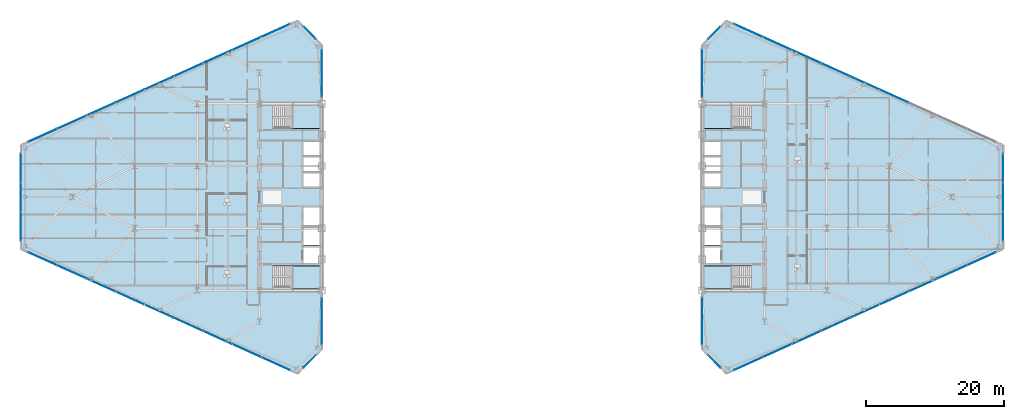
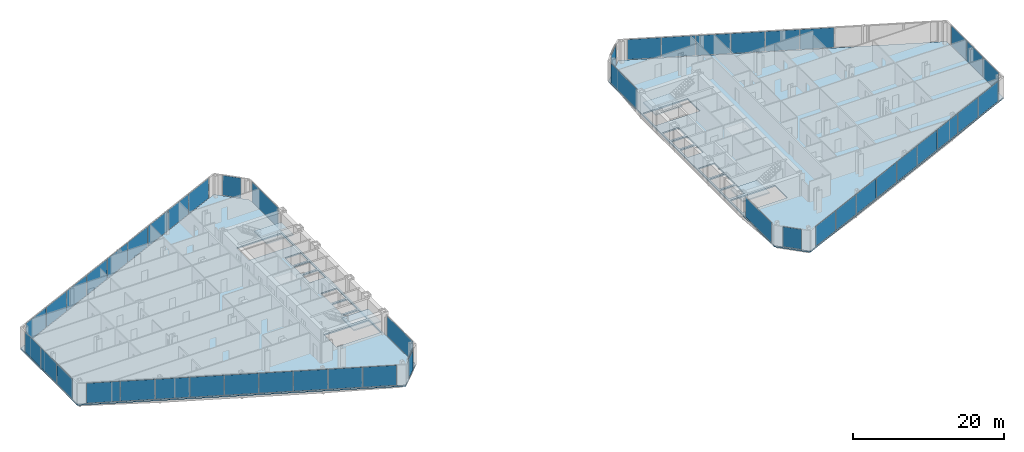
# One storey, part 17 of 27: 47 plates, 6 slabs, 18 elements without a shape of their own.
"""IFC4 building model written with IfcOpenShell, lengths in metres."""

from ifc_helpers import new_model, si_unit, direction, frame, origin, origin_2d, place, context, subcontext, project, spatial, polyline, rectangle, outline, extrude, source, transform, mapped, material, layer, layer_set, type_object, type_shapes, element, aggregate, save


model = new_model("IFC4")

# Units and contexts
model_context = context("Model", 3, precision=1e-05, world=origin(), true_north=direction((0.0, 1.0)))
body_context = subcontext(model_context, "Body", "Model", "MODEL_VIEW")
ifc_project = project(units=[si_unit("LENGTHUNIT", "METRE"), si_unit("AREAUNIT", "SQUARE_METRE"), si_unit("VOLUMEUNIT", "CUBIC_METRE"), si_unit("PLANEANGLEUNIT", "RADIAN"), si_unit("MASSUNIT", "GRAM", prefix="KILO")], contexts=[model_context])

# Site, building, storey
site_placement = place(None, origin())
site = spatial("IfcSite", under=ifc_project, at=site_placement, CompositionType="ELEMENT")
building_placement = place(site_placement, origin())
building = spatial("IfcBuilding", under=site, at=building_placement, Name="Seokmaru Belvedere", CompositionType="ELEMENT")
storey_placement = place(building_placement, frame((0.0, 0.0, 96.0)))
storey = spatial("IfcBuildingStorey", under=building, at=storey_placement, Name="L25", CompositionType="ELEMENT", Elevation=96.0)

# Stair, slab
ifc_material_1 = material(Name="Concrete C40 (40 MPa)", Category="concrete")
stair_type = type_object("IfcStairType", Name="Typical Tower Core Dog-Leg Stair 3600", PredefinedType="TWO_STRAIGHT_RUN_STAIR", material=ifc_material_1)
stair_1_placement = place(storey_placement, origin())
stair_1 = element("IfcStair", 1, at=stair_1_placement, inside=storey, type_object=stair_type, Name="L25 Special Escape Stair ST-W1", PredefinedType="TWO_STRAIGHT_RUN_STAIR")
ifc_layer_1 = layer(ifc_material_1, 0.199951171875)
ifc_layer_set_1 = layer_set([ifc_layer_1], Name="Concrete C40 (40 MPa)")
slab_type_1 = type_object("IfcSlabType", Name="Reinforced Concrete Stair Landing Slab 200", PredefinedType="LANDING", material=ifc_layer_set_1)
slab_1_placement = place(storey_placement, frame((0.0, 0.0, 1.60009765625)))
slab_1 = element("IfcSlab", 2, at=slab_1_placement, type_object=slab_type_1, Name="ST-W1 landing 1", PredefinedType="LANDING", context=body_context, shape_type="SweptSolid", body=[
    extrude(outline(polyline([(-31.8798828125, -13.239990234375), (-27.760009765625, -13.239990234375), (-27.760009765625, -9.949951171875), (-31.8798828125, -9.949951171875), (-31.8798828125, -13.239990234375)])), origin(), (0.0, 0.0, 1.0), 0.199951171875),
])
aggregate(stair_1, [slab_1])

stair_2_placement = place(storey_placement, origin())
stair_2 = element("IfcStair", 3, at=stair_2_placement, inside=storey, type_object=stair_type, Name="L25 Special Escape Stair ST-W2", PredefinedType="TWO_STRAIGHT_RUN_STAIR")
slab_2_placement = place(storey_placement, frame((0.0, 0.0, 1.60009765625)))
slab_2 = element("IfcSlab", 4, at=slab_2_placement, type_object=slab_type_1, Name="ST-W2 landing 1", PredefinedType="LANDING", context=body_context, shape_type="SweptSolid", body=[
    extrude(outline(polyline([(-31.8798828125, 9.949951171875), (-27.760009765625, 9.949951171875), (-27.760009765625, 13.239990234375), (-31.8798828125, 13.239990234375), (-31.8798828125, 9.949951171875)])), origin(), (0.0, 0.0, 1.0), 0.199951171875),
])
aggregate(stair_2, [slab_2])

stair_3_placement = place(storey_placement, origin())
stair_3 = element("IfcStair", 5, at=stair_3_placement, inside=storey, type_object=stair_type, Name="L25 Special Escape Stair ST-E1", PredefinedType="TWO_STRAIGHT_RUN_STAIR")
slab_3_placement = place(storey_placement, frame((0.0, 0.0, 1.60009765625)))
slab_3 = element("IfcSlab", 6, at=slab_3_placement, type_object=slab_type_1, Name="ST-E1 landing 1", PredefinedType="LANDING", context=body_context, shape_type="SweptSolid", body=[
    extrude(outline(polyline([(27.760009765625, -13.239990234375), (31.8798828125, -13.239990234375), (31.8798828125, -9.949951171875), (27.760009765625, -9.949951171875), (27.760009765625, -13.239990234375)])), origin(), (0.0, 0.0, 1.0), 0.199951171875),
])
aggregate(stair_3, [slab_3])

stair_4_placement = place(storey_placement, origin())
stair_4 = element("IfcStair", 7, at=stair_4_placement, inside=storey, type_object=stair_type, Name="L25 Special Escape Stair ST-E2", PredefinedType="TWO_STRAIGHT_RUN_STAIR")
slab_4_placement = place(storey_placement, frame((0.0, 0.0, 1.60009765625)))
slab_4 = element("IfcSlab", 8, at=slab_4_placement, type_object=slab_type_1, Name="ST-E2 landing 1", PredefinedType="LANDING", context=body_context, shape_type="SweptSolid", body=[
    extrude(outline(polyline([(27.760009765625, 9.949951171875), (31.8798828125, 9.949951171875), (31.8798828125, 13.239990234375), (27.760009765625, 13.239990234375), (27.760009765625, 9.949951171875)])), origin(), (0.0, 0.0, 1.0), 0.199951171875),
])
aggregate(stair_4, [slab_4])

# Slabs
ifc_layer_2 = layer(ifc_material_1, 0.219970703125)
ifc_layer_set_2 = layer_set([ifc_layer_2], Name="Concrete C40 (40 MPa)")
slab_type_2 = type_object("IfcSlabType", Name="Typical Tower Composite Floor Slab 220", PredefinedType="FLOOR", material=ifc_layer_set_2)
slab_5_placement = place(storey_placement, frame((0.0, 0.0, -0.219970703125)))
element("IfcSlab", 9, at=slab_5_placement, inside=storey, type_object=slab_type_2, Name="L25 West Leg Floor Slab", PredefinedType="FLOOR", context=body_context, shape_type="SweptSolid", body=[
    extrude(outline(polyline([(-27.5, -22.0), (-27.5, 22.0), (-31.0, 25.5), (-71.0, 7.5), (-71.0, -7.5), (-31.0, -25.5), (-27.5, -22.0)]), holes=[polyline([(-34.60009765625, -13.25), (-27.75, -13.25), (-27.75, -9.949951171875), (-34.60009765625, -9.949951171875), (-34.60009765625, -13.25)]), polyline([(-34.60009765625, 9.949951171875), (-27.75, 9.949951171875), (-27.75, 13.25), (-34.60009765625, 13.25), (-34.60009765625, 9.949951171875)]), polyline([(-30.14990234375, -9.550048828125), (-27.75, -9.550048828125), (-27.75, -7.25), (-30.14990234375, -7.25), (-30.14990234375, -9.550048828125)]), polyline([(-30.14990234375, -6.949951171875), (-27.75, -6.949951171875), (-27.75, -4.35009765625), (-30.14990234375, -4.35009765625), (-30.14990234375, -6.949951171875)]), polyline([(-30.14990234375, -4.050048828125), (-27.75, -4.050048828125), (-27.75, -1.449951171875), (-30.14990234375, -1.449951171875), (-30.14990234375, -4.050048828125)]), polyline([(-30.14990234375, 1.449951171875), (-27.75, 1.449951171875), (-27.75, 3.449951171875), (-30.14990234375, 3.449951171875), (-30.14990234375, 1.449951171875)]), polyline([(-30.14990234375, 3.75), (-27.75, 3.75), (-27.75, 5.75), (-30.14990234375, 5.75), (-30.14990234375, 3.75)]), polyline([(-30.14990234375, 6.050048828125), (-27.75, 6.050048828125), (-27.75, 8.050048828125), (-30.14990234375, 8.050048828125), (-30.14990234375, 6.050048828125)])]), origin(), (0.0, 0.0, 1.0), 0.219970703125),
])
slab_6_placement = place(storey_placement, frame((0.0, 0.0, -0.219970703125)))
element("IfcSlab", 10, at=slab_6_placement, inside=storey, type_object=slab_type_2, Name="L25 East Leg Floor Slab", PredefinedType="FLOOR", context=body_context, shape_type="SweptSolid", body=[
    extrude(outline(polyline([(31.0, -25.5), (71.0, -7.5), (71.0, 7.5), (31.0, 25.5), (27.5, 22.0), (27.5, -22.0), (31.0, -25.5)]), holes=[polyline([(27.75, -13.25), (34.60009765625, -13.25), (34.60009765625, -9.949951171875), (27.75, -9.949951171875), (27.75, -13.25)]), polyline([(27.75, 9.949951171875), (34.60009765625, 9.949951171875), (34.60009765625, 13.25), (27.75, 13.25), (27.75, 9.949951171875)]), polyline([(27.75, -9.550048828125), (30.14990234375, -9.550048828125), (30.14990234375, -7.25), (27.75, -7.25), (27.75, -9.550048828125)]), polyline([(27.75, -6.949951171875), (30.14990234375, -6.949951171875), (30.14990234375, -4.35009765625), (27.75, -4.35009765625), (27.75, -6.949951171875)]), polyline([(27.75, -4.050048828125), (30.14990234375, -4.050048828125), (30.14990234375, -1.449951171875), (27.75, -1.449951171875), (27.75, -4.050048828125)]), polyline([(27.75, 1.449951171875), (30.14990234375, 1.449951171875), (30.14990234375, 3.449951171875), (27.75, 3.449951171875), (27.75, 1.449951171875)]), polyline([(27.75, 3.75), (30.14990234375, 3.75), (30.14990234375, 5.75), (27.75, 5.75), (27.75, 3.75)]), polyline([(27.75, 6.050048828125), (30.14990234375, 6.050048828125), (30.14990234375, 8.050048828125), (27.75, 8.050048828125), (27.75, 6.050048828125)])]), origin(), (0.0, 0.0, 1.0), 0.219970703125),
])

# Curtain wall, plate
ifc_material_2 = material(Name="Bronze Triple Insulating Glass", Category="glass")
ifc_layer_3 = layer(ifc_material_2, 0.195068359375)
ifc_layer_set_3 = layer_set([ifc_layer_3], Name="Bronze Triple Insulating Glass")
curtain_wall_type = type_object("IfcCurtainWallType", Name="Lower-Mid Tapered Curtain Wall System CW-3", PredefinedType="NOTDEFINED", material=ifc_layer_set_3)
curtain_wall_1_placement = place(storey_placement, origin())
curtain_wall_1 = element("IfcCurtainWall", 11, at=curtain_wall_1_placement, inside=storey, type_object=curtain_wall_type, Name="L25 Curtain Wall WSP_1", PredefinedType="NOTDEFINED")
ifc_layer_4 = layer(ifc_material_2, 0.035888671875)
ifc_layer_set_4 = layer_set([ifc_layer_4], Name="Bronze Triple Insulating Glass")
plate_type = type_object("IfcPlateType", Name="Bronze Triple Vision Glazing Panel 36", PredefinedType="CURTAIN_PANEL", material=ifc_layer_set_4)
shared_shape_1 = source(origin(), body_context, "Body", "SweptSolid", [
    extrude(rectangle(XDim=6.909912109375, YDim=0.035888671875, at=origin_2d()), origin(), (0.0, 0.0, 1.0), 3.239990234375),
])
plate_1_placement = place(storey_placement, frame((-27.5, -17.905029296875, 0.06982421875), z_axis=(0.0, 0.0, 1.0), x_axis=(0.0, 1.0, 0.0)))
plate_1 = element("IfcPlate", 12, at=plate_1_placement, type_object=plate_type, Name="CW:L25:WSP_1 Glazing Panel 1-1", PredefinedType="CURTAIN_PANEL", context=body_context, shape_type="MappedRepresentation", body=[
    mapped(shared_shape_1, transform((0.0, 0.0, 0.0), scale=1.0)),
])
aggregate(curtain_wall_1, [plate_1])

curtain_wall_2_placement = place(storey_placement, origin())
curtain_wall_2 = element("IfcCurtainWall", 13, at=curtain_wall_2_placement, inside=storey, type_object=curtain_wall_type, Name="L25 Curtain Wall WSP_2", PredefinedType="NOTDEFINED")
plate_2_placement = place(storey_placement, frame((-27.5, 17.905029296875, 0.06982421875), z_axis=(0.0, 0.0, 1.0), x_axis=(0.0, 1.0, 0.0)))
plate_2 = element("IfcPlate", 14, at=plate_2_placement, type_object=plate_type, Name="CW:L25:WSP_2 Glazing Panel 1-1", PredefinedType="CURTAIN_PANEL", context=body_context, shape_type="MappedRepresentation", body=[
    mapped(shared_shape_1, transform((0.0, 0.0, 0.0), scale=1.0)),
])
aggregate(curtain_wall_2, [plate_2])

curtain_wall_3_placement = place(storey_placement, origin())
curtain_wall_3 = element("IfcCurtainWall", 15, at=curtain_wall_3_placement, inside=storey, type_object=curtain_wall_type, Name="L25 Curtain Wall ESP_1", PredefinedType="NOTDEFINED")
plate_3_placement = place(storey_placement, frame((27.5, -17.905029296875, 0.06982421875), z_axis=(0.0, 0.0, 1.0), x_axis=(0.0, -1.0, 0.0)))
plate_3 = element("IfcPlate", 16, at=plate_3_placement, type_object=plate_type, Name="CW:L25:ESP_1 Glazing Panel 1-1", PredefinedType="CURTAIN_PANEL", context=body_context, shape_type="MappedRepresentation", body=[
    mapped(shared_shape_1, transform((0.0, 0.0, 0.0), scale=1.0)),
])
aggregate(curtain_wall_3, [plate_3])

curtain_wall_4_placement = place(storey_placement, origin())
curtain_wall_4 = element("IfcCurtainWall", 17, at=curtain_wall_4_placement, inside=storey, type_object=curtain_wall_type, Name="L25 Curtain Wall ESP_2", PredefinedType="NOTDEFINED")
plate_4_placement = place(storey_placement, frame((27.5, 17.905029296875, 0.06982421875), z_axis=(0.0, 0.0, 1.0), x_axis=(0.0, -1.0, 0.0)))
plate_4 = element("IfcPlate", 18, at=plate_4_placement, type_object=plate_type, Name="CW:L25:ESP_2 Glazing Panel 1-1", PredefinedType="CURTAIN_PANEL", context=body_context, shape_type="MappedRepresentation", body=[
    mapped(shared_shape_1, transform((0.0, 0.0, 0.0), scale=1.0)),
])
aggregate(curtain_wall_4, [plate_4])

curtain_wall_5_placement = place(storey_placement, origin())
curtain_wall_5 = element("IfcCurtainWall", 19, at=curtain_wall_5_placement, inside=storey, type_object=curtain_wall_type, Name="L25 Curtain Wall WF2", PredefinedType="NOTDEFINED")
shared_shape_2 = source(origin(), body_context, "Body", "SweptSolid", [
    extrude(rectangle(XDim=2.509765625, YDim=0.035888671875, at=origin_2d()), origin(), (0.0, 0.0, 1.0), 3.239990234375),
])
plate_5_placement = place(storey_placement, frame((-29.25, 23.75, 0.06982421875), z_axis=(0.0, 0.0, 1.0), x_axis=(-0.707106781187, 0.707106781187, 0.0)))
plate_5 = element("IfcPlate", 20, at=plate_5_placement, type_object=plate_type, Name="CW:L25:WF2 Glazing Panel 1-1", PredefinedType="CURTAIN_PANEL", context=body_context, shape_type="MappedRepresentation", body=[
    mapped(shared_shape_2, transform((0.0, 0.0, 0.0), scale=1.0)),
])
aggregate(curtain_wall_5, [plate_5])

curtain_wall_6_placement = place(storey_placement, origin())
curtain_wall_6 = element("IfcCurtainWall", 21, at=curtain_wall_6_placement, inside=storey, type_object=curtain_wall_type, Name="L25 Curtain Wall WF6", PredefinedType="NOTDEFINED")
plate_6_placement = place(storey_placement, frame((-29.25, -23.75, 0.06982421875), z_axis=(0.0, 0.0, 1.0), x_axis=(0.707106781187, 0.707106781187, 0.0)))
plate_6 = element("IfcPlate", 22, at=plate_6_placement, type_object=plate_type, Name="CW:L25:WF6 Glazing Panel 1-1", PredefinedType="CURTAIN_PANEL", context=body_context, shape_type="MappedRepresentation", body=[
    mapped(shared_shape_2, transform((0.0, 0.0, 0.0), scale=1.0)),
])
aggregate(curtain_wall_6, [plate_6])

curtain_wall_7_placement = place(storey_placement, origin())
curtain_wall_7 = element("IfcCurtainWall", 23, at=curtain_wall_7_placement, inside=storey, type_object=curtain_wall_type, Name="L25 Curtain Wall EF4", PredefinedType="NOTDEFINED")
plate_7_placement = place(storey_placement, frame((29.25, 23.75, 0.06982421875), z_axis=(0.0, 0.0, 1.0), x_axis=(-0.707106781187, -0.707106781187, 0.0)))
plate_7 = element("IfcPlate", 24, at=plate_7_placement, type_object=plate_type, Name="CW:L25:EF4 Glazing Panel 1-1", PredefinedType="CURTAIN_PANEL", context=body_context, shape_type="MappedRepresentation", body=[
    mapped(shared_shape_2, transform((0.0, 0.0, 0.0), scale=1.0)),
])
aggregate(curtain_wall_7, [plate_7])

curtain_wall_8_placement = place(storey_placement, origin())
curtain_wall_8 = element("IfcCurtainWall", 25, at=curtain_wall_8_placement, inside=storey, type_object=curtain_wall_type, Name="L25 Curtain Wall EF6", PredefinedType="NOTDEFINED")
plate_8_placement = place(storey_placement, frame((29.25, -23.75, 0.06982421875), z_axis=(0.0, 0.0, 1.0), x_axis=(0.707106781187, -0.707106781187, 0.0)))
plate_8 = element("IfcPlate", 26, at=plate_8_placement, type_object=plate_type, Name="CW:L25:EF6 Glazing Panel 1-1", PredefinedType="CURTAIN_PANEL", context=body_context, shape_type="MappedRepresentation", body=[
    mapped(shared_shape_2, transform((0.0, 0.0, 0.0), scale=1.0)),
])
aggregate(curtain_wall_8, [plate_8])

# Curtain wall, plates
curtain_wall_9_placement = place(storey_placement, origin())
curtain_wall_9 = element("IfcCurtainWall", 27, at=curtain_wall_9_placement, inside=storey, type_object=curtain_wall_type, Name="L25 Curtain Wall WF3", PredefinedType="NOTDEFINED")
shared_shape_3 = source(origin(), body_context, "Body", "SweptSolid", [
    extrude(rectangle(XDim=4.51318359375, YDim=0.035888671875, at=origin_2d()), origin(), (0.0, 0.0, 1.0), 3.239990234375),
])
plate_9_placement = place(storey_placement, frame((-34.17041015625, 24.073486328125, 0.06982421875), z_axis=(0.0, 0.0, 1.0), x_axis=(-0.91192111353, -0.41036554765, 0.0)))
plate_9 = element("IfcPlate", 28, at=plate_9_placement, type_object=plate_type, Name="CW:L25:WF3 Glazing Panel 1-1", PredefinedType="CURTAIN_PANEL", context=body_context, shape_type="MappedRepresentation", body=[
    mapped(shared_shape_3, transform((0.0, 0.0, 0.0), scale=1.0)),
])
plate_10_placement = place(storey_placement, frame((-67.82958984375, 8.926513671875, 0.06982421875), z_axis=(0.0, 0.0, 1.0), x_axis=(-0.91192111353, -0.41036554765, 0.0)))
plate_10 = element("IfcPlate", 29, at=plate_10_placement, type_object=plate_type, Name="CW:L25:WF3 Glazing Panel 9-1", PredefinedType="CURTAIN_PANEL", context=body_context, shape_type="MappedRepresentation", body=[
    mapped(shared_shape_3, transform((0.0, 0.0, 0.0), scale=1.0)),
])

curtain_wall_10_placement = place(storey_placement, origin())
curtain_wall_10 = element("IfcCurtainWall", 30, at=curtain_wall_10_placement, inside=storey, type_object=curtain_wall_type, Name="L25 Curtain Wall WF5", PredefinedType="NOTDEFINED")
plate_11_placement = place(storey_placement, frame((-67.82958984375, -8.926513671875, 0.06982421875), z_axis=(0.0, 0.0, 1.0), x_axis=(0.91192111353, -0.41036554765, 0.0)))
plate_11 = element("IfcPlate", 31, at=plate_11_placement, type_object=plate_type, Name="CW:L25:WF5 Glazing Panel 1-1", PredefinedType="CURTAIN_PANEL", context=body_context, shape_type="MappedRepresentation", body=[
    mapped(shared_shape_3, transform((0.0, 0.0, 0.0), scale=1.0)),
])
plate_12_placement = place(storey_placement, frame((-34.17041015625, -24.073486328125, 0.06982421875), z_axis=(0.0, 0.0, 1.0), x_axis=(0.91192111353, -0.41036554765, 0.0)))
plate_12 = element("IfcPlate", 32, at=plate_12_placement, type_object=plate_type, Name="CW:L25:WF5 Glazing Panel 9-1", PredefinedType="CURTAIN_PANEL", context=body_context, shape_type="MappedRepresentation", body=[
    mapped(shared_shape_3, transform((0.0, 0.0, 0.0), scale=1.0)),
])

curtain_wall_11_placement = place(storey_placement, origin())
curtain_wall_11 = element("IfcCurtainWall", 33, at=curtain_wall_11_placement, inside=storey, type_object=curtain_wall_type, Name="L25 Curtain Wall EF1", PredefinedType="NOTDEFINED")
plate_13_placement = place(storey_placement, frame((34.17041015625, -24.073486328125, 0.06982421875), z_axis=(0.0, 0.0, 1.0), x_axis=(0.91192111353, 0.41036554765, 0.0)))
plate_13 = element("IfcPlate", 34, at=plate_13_placement, type_object=plate_type, Name="CW:L25:EF1 Glazing Panel 1-1", PredefinedType="CURTAIN_PANEL", context=body_context, shape_type="MappedRepresentation", body=[
    mapped(shared_shape_3, transform((0.0, 0.0, 0.0), scale=1.0)),
])
plate_14_placement = place(storey_placement, frame((67.82958984375, -8.926513671875, 0.06982421875), z_axis=(0.0, 0.0, 1.0), x_axis=(0.91192111353, 0.41036554765, 0.0)))
plate_14 = element("IfcPlate", 35, at=plate_14_placement, type_object=plate_type, Name="CW:L25:EF1 Glazing Panel 9-1", PredefinedType="CURTAIN_PANEL", context=body_context, shape_type="MappedRepresentation", body=[
    mapped(shared_shape_3, transform((0.0, 0.0, 0.0), scale=1.0)),
])

# Curtain wall, plate
curtain_wall_12_placement = place(storey_placement, origin())
curtain_wall_12 = element("IfcCurtainWall", 36, at=curtain_wall_12_placement, inside=storey, type_object=curtain_wall_type, Name="L25 Curtain Wall EF3", PredefinedType="NOTDEFINED")
plate_15_placement = place(storey_placement, frame((34.17041015625, 24.073486328125, 0.06982421875), z_axis=(0.0, 0.0, 1.0), x_axis=(-0.91192111353, 0.41036554765, 0.0)))
plate_15 = element("IfcPlate", 37, at=plate_15_placement, type_object=plate_type, Name="CW:L25:EF3 Glazing Panel 9-1", PredefinedType="CURTAIN_PANEL", context=body_context, shape_type="MappedRepresentation", body=[
    mapped(shared_shape_3, transform((0.0, 0.0, 0.0), scale=1.0)),
])

# Plate
shared_shape_4 = source(origin(), body_context, "Body", "SweptSolid", [
    extrude(rectangle(XDim=4.548095703125, YDim=0.035888671875, at=origin_2d()), origin(), (0.0, 0.0, 1.0), 3.239990234375),
])
plate_16_placement = place(storey_placement, frame((-38.36572265625, 22.185302734375, 0.06982421875), z_axis=(0.0, 0.0, 1.0), x_axis=(-0.91192111353, -0.41036554765, 0.0)))
plate_16 = element("IfcPlate", 38, at=plate_16_placement, type_object=plate_type, Name="CW:L25:WF3 Glazing Panel 2-1", PredefinedType="CURTAIN_PANEL", context=body_context, shape_type="MappedRepresentation", body=[
    mapped(shared_shape_4, transform((0.0, 0.0, 0.0), scale=1.0)),
])

plate_17_placement = place(storey_placement, frame((-42.5771484375, 20.290283203125, 0.06982421875), z_axis=(0.0, 0.0, 1.0), x_axis=(-0.91192111353, -0.41036554765, 0.0)))
plate_17 = element("IfcPlate", 39, at=plate_17_placement, type_object=plate_type, Name="CW:L25:WF3 Glazing Panel 3-1", PredefinedType="CURTAIN_PANEL", context=body_context, shape_type="MappedRepresentation", body=[
    mapped(shared_shape_4, transform((0.0, 0.0, 0.0), scale=1.0)),
])

plate_18_placement = place(storey_placement, frame((-46.78857421875, 18.39501953125, 0.06982421875), z_axis=(0.0, 0.0, 1.0), x_axis=(-0.91192111353, -0.41036554765, 0.0)))
plate_18 = element("IfcPlate", 40, at=plate_18_placement, type_object=plate_type, Name="CW:L25:WF3 Glazing Panel 4-1", PredefinedType="CURTAIN_PANEL", context=body_context, shape_type="MappedRepresentation", body=[
    mapped(shared_shape_4, transform((0.0, 0.0, 0.0), scale=1.0)),
])

plate_19_placement = place(storey_placement, frame((-51.0, 16.5, 0.06982421875), z_axis=(0.0, 0.0, 1.0), x_axis=(-0.91192111353, -0.41036554765, 0.0)))
plate_19 = element("IfcPlate", 41, at=plate_19_placement, type_object=plate_type, Name="CW:L25:WF3 Glazing Panel 5-1", PredefinedType="CURTAIN_PANEL", context=body_context, shape_type="MappedRepresentation", body=[
    mapped(shared_shape_4, transform((0.0, 0.0, 0.0), scale=1.0)),
])

plate_20_placement = place(storey_placement, frame((-55.21142578125, 14.60498046875, 0.06982421875), z_axis=(0.0, 0.0, 1.0), x_axis=(-0.91192111353, -0.41036554765, 0.0)))
plate_20 = element("IfcPlate", 42, at=plate_20_placement, type_object=plate_type, Name="CW:L25:WF3 Glazing Panel 6-1", PredefinedType="CURTAIN_PANEL", context=body_context, shape_type="MappedRepresentation", body=[
    mapped(shared_shape_4, transform((0.0, 0.0, 0.0), scale=1.0)),
])

plate_21_placement = place(storey_placement, frame((-59.4228515625, 12.709716796875, 0.06982421875), z_axis=(0.0, 0.0, 1.0), x_axis=(-0.91192111353, -0.41036554765, 0.0)))
plate_21 = element("IfcPlate", 43, at=plate_21_placement, type_object=plate_type, Name="CW:L25:WF3 Glazing Panel 7-1", PredefinedType="CURTAIN_PANEL", context=body_context, shape_type="MappedRepresentation", body=[
    mapped(shared_shape_4, transform((0.0, 0.0, 0.0), scale=1.0)),
])

plate_22_placement = place(storey_placement, frame((-63.63427734375, 10.814697265625, 0.06982421875), z_axis=(0.0, 0.0, 1.0), x_axis=(-0.91192111353, -0.41036554765, 0.0)))
plate_22 = element("IfcPlate", 44, at=plate_22_placement, type_object=plate_type, Name="CW:L25:WF3 Glazing Panel 8-1", PredefinedType="CURTAIN_PANEL", context=body_context, shape_type="MappedRepresentation", body=[
    mapped(shared_shape_4, transform((0.0, 0.0, 0.0), scale=1.0)),
])

aggregate(curtain_wall_9, [plate_9, plate_16, plate_17, plate_18, plate_19, plate_20, plate_21, plate_22, plate_10])

plate_23_placement = place(storey_placement, frame((-63.63427734375, -10.814697265625, 0.06982421875), z_axis=(0.0, 0.0, 1.0), x_axis=(0.91192111353, -0.41036554765, 0.0)))
plate_23 = element("IfcPlate", 45, at=plate_23_placement, type_object=plate_type, Name="CW:L25:WF5 Glazing Panel 2-1", PredefinedType="CURTAIN_PANEL", context=body_context, shape_type="MappedRepresentation", body=[
    mapped(shared_shape_4, transform((0.0, 0.0, 0.0), scale=1.0)),
])

plate_24_placement = place(storey_placement, frame((-59.4228515625, -12.709716796875, 0.06982421875), z_axis=(0.0, 0.0, 1.0), x_axis=(0.91192111353, -0.41036554765, 0.0)))
plate_24 = element("IfcPlate", 46, at=plate_24_placement, type_object=plate_type, Name="CW:L25:WF5 Glazing Panel 3-1", PredefinedType="CURTAIN_PANEL", context=body_context, shape_type="MappedRepresentation", body=[
    mapped(shared_shape_4, transform((0.0, 0.0, 0.0), scale=1.0)),
])

plate_25_placement = place(storey_placement, frame((-55.21142578125, -14.60498046875, 0.06982421875), z_axis=(0.0, 0.0, 1.0), x_axis=(0.91192111353, -0.41036554765, 0.0)))
plate_25 = element("IfcPlate", 47, at=plate_25_placement, type_object=plate_type, Name="CW:L25:WF5 Glazing Panel 4-1", PredefinedType="CURTAIN_PANEL", context=body_context, shape_type="MappedRepresentation", body=[
    mapped(shared_shape_4, transform((0.0, 0.0, 0.0), scale=1.0)),
])

plate_26_placement = place(storey_placement, frame((-51.0, -16.5, 0.06982421875), z_axis=(0.0, 0.0, 1.0), x_axis=(0.91192111353, -0.41036554765, 0.0)))
plate_26 = element("IfcPlate", 48, at=plate_26_placement, type_object=plate_type, Name="CW:L25:WF5 Glazing Panel 5-1", PredefinedType="CURTAIN_PANEL", context=body_context, shape_type="MappedRepresentation", body=[
    mapped(shared_shape_4, transform((0.0, 0.0, 0.0), scale=1.0)),
])

plate_27_placement = place(storey_placement, frame((-46.78857421875, -18.39501953125, 0.06982421875), z_axis=(0.0, 0.0, 1.0), x_axis=(0.91192111353, -0.41036554765, 0.0)))
plate_27 = element("IfcPlate", 49, at=plate_27_placement, type_object=plate_type, Name="CW:L25:WF5 Glazing Panel 6-1", PredefinedType="CURTAIN_PANEL", context=body_context, shape_type="MappedRepresentation", body=[
    mapped(shared_shape_4, transform((0.0, 0.0, 0.0), scale=1.0)),
])

plate_28_placement = place(storey_placement, frame((-42.5771484375, -20.290283203125, 0.06982421875), z_axis=(0.0, 0.0, 1.0), x_axis=(0.91192111353, -0.41036554765, 0.0)))
plate_28 = element("IfcPlate", 50, at=plate_28_placement, type_object=plate_type, Name="CW:L25:WF5 Glazing Panel 7-1", PredefinedType="CURTAIN_PANEL", context=body_context, shape_type="MappedRepresentation", body=[
    mapped(shared_shape_4, transform((0.0, 0.0, 0.0), scale=1.0)),
])

plate_29_placement = place(storey_placement, frame((-38.36572265625, -22.185302734375, 0.06982421875), z_axis=(0.0, 0.0, 1.0), x_axis=(0.91192111353, -0.41036554765, 0.0)))
plate_29 = element("IfcPlate", 51, at=plate_29_placement, type_object=plate_type, Name="CW:L25:WF5 Glazing Panel 8-1", PredefinedType="CURTAIN_PANEL", context=body_context, shape_type="MappedRepresentation", body=[
    mapped(shared_shape_4, transform((0.0, 0.0, 0.0), scale=1.0)),
])

aggregate(curtain_wall_10, [plate_11, plate_23, plate_24, plate_25, plate_26, plate_27, plate_28, plate_29, plate_12])

plate_30_placement = place(storey_placement, frame((38.36572265625, -22.185302734375, 0.06982421875), z_axis=(0.0, 0.0, 1.0), x_axis=(0.91192111353, 0.41036554765, 0.0)))
plate_30 = element("IfcPlate", 52, at=plate_30_placement, type_object=plate_type, Name="CW:L25:EF1 Glazing Panel 2-1", PredefinedType="CURTAIN_PANEL", context=body_context, shape_type="MappedRepresentation", body=[
    mapped(shared_shape_4, transform((0.0, 0.0, 0.0), scale=1.0)),
])

plate_31_placement = place(storey_placement, frame((42.5771484375, -20.290283203125, 0.06982421875), z_axis=(0.0, 0.0, 1.0), x_axis=(0.91192111353, 0.41036554765, 0.0)))
plate_31 = element("IfcPlate", 53, at=plate_31_placement, type_object=plate_type, Name="CW:L25:EF1 Glazing Panel 3-1", PredefinedType="CURTAIN_PANEL", context=body_context, shape_type="MappedRepresentation", body=[
    mapped(shared_shape_4, transform((0.0, 0.0, 0.0), scale=1.0)),
])

plate_32_placement = place(storey_placement, frame((46.78857421875, -18.39501953125, 0.06982421875), z_axis=(0.0, 0.0, 1.0), x_axis=(0.91192111353, 0.41036554765, 0.0)))
plate_32 = element("IfcPlate", 54, at=plate_32_placement, type_object=plate_type, Name="CW:L25:EF1 Glazing Panel 4-1", PredefinedType="CURTAIN_PANEL", context=body_context, shape_type="MappedRepresentation", body=[
    mapped(shared_shape_4, transform((0.0, 0.0, 0.0), scale=1.0)),
])

plate_33_placement = place(storey_placement, frame((51.0, -16.5, 0.06982421875), z_axis=(0.0, 0.0, 1.0), x_axis=(0.91192111353, 0.41036554765, 0.0)))
plate_33 = element("IfcPlate", 55, at=plate_33_placement, type_object=plate_type, Name="CW:L25:EF1 Glazing Panel 5-1", PredefinedType="CURTAIN_PANEL", context=body_context, shape_type="MappedRepresentation", body=[
    mapped(shared_shape_4, transform((0.0, 0.0, 0.0), scale=1.0)),
])

plate_34_placement = place(storey_placement, frame((55.21142578125, -14.60498046875, 0.06982421875), z_axis=(0.0, 0.0, 1.0), x_axis=(0.91192111353, 0.41036554765, 0.0)))
plate_34 = element("IfcPlate", 56, at=plate_34_placement, type_object=plate_type, Name="CW:L25:EF1 Glazing Panel 6-1", PredefinedType="CURTAIN_PANEL", context=body_context, shape_type="MappedRepresentation", body=[
    mapped(shared_shape_4, transform((0.0, 0.0, 0.0), scale=1.0)),
])

plate_35_placement = place(storey_placement, frame((59.4228515625, -12.709716796875, 0.06982421875), z_axis=(0.0, 0.0, 1.0), x_axis=(0.91192111353, 0.41036554765, 0.0)))
plate_35 = element("IfcPlate", 57, at=plate_35_placement, type_object=plate_type, Name="CW:L25:EF1 Glazing Panel 7-1", PredefinedType="CURTAIN_PANEL", context=body_context, shape_type="MappedRepresentation", body=[
    mapped(shared_shape_4, transform((0.0, 0.0, 0.0), scale=1.0)),
])

plate_36_placement = place(storey_placement, frame((63.63427734375, -10.814697265625, 0.06982421875), z_axis=(0.0, 0.0, 1.0), x_axis=(0.91192111353, 0.41036554765, 0.0)))
plate_36 = element("IfcPlate", 58, at=plate_36_placement, type_object=plate_type, Name="CW:L25:EF1 Glazing Panel 8-1", PredefinedType="CURTAIN_PANEL", context=body_context, shape_type="MappedRepresentation", body=[
    mapped(shared_shape_4, transform((0.0, 0.0, 0.0), scale=1.0)),
])

aggregate(curtain_wall_11, [plate_13, plate_30, plate_31, plate_32, plate_33, plate_34, plate_35, plate_36, plate_14])

plate_37_placement = place(storey_placement, frame((55.21142578125, 14.60498046875, 0.06982421875), z_axis=(0.0, 0.0, 1.0), x_axis=(-0.91192111353, 0.41036554765, 0.0)))
plate_37 = element("IfcPlate", 59, at=plate_37_placement, type_object=plate_type, Name="CW:L25:EF3 Glazing Panel 4-1", PredefinedType="CURTAIN_PANEL", context=body_context, shape_type="MappedRepresentation", body=[
    mapped(shared_shape_4, transform((0.0, 0.0, 0.0), scale=1.0)),
])

plate_38_placement = place(storey_placement, frame((51.0, 16.5, 0.06982421875), z_axis=(0.0, 0.0, 1.0), x_axis=(-0.91192111353, 0.41036554765, 0.0)))
plate_38 = element("IfcPlate", 60, at=plate_38_placement, type_object=plate_type, Name="CW:L25:EF3 Glazing Panel 5-1", PredefinedType="CURTAIN_PANEL", context=body_context, shape_type="MappedRepresentation", body=[
    mapped(shared_shape_4, transform((0.0, 0.0, 0.0), scale=1.0)),
])

plate_39_placement = place(storey_placement, frame((46.78857421875, 18.39501953125, 0.06982421875), z_axis=(0.0, 0.0, 1.0), x_axis=(-0.91192111353, 0.41036554765, 0.0)))
plate_39 = element("IfcPlate", 61, at=plate_39_placement, type_object=plate_type, Name="CW:L25:EF3 Glazing Panel 6-1", PredefinedType="CURTAIN_PANEL", context=body_context, shape_type="MappedRepresentation", body=[
    mapped(shared_shape_4, transform((0.0, 0.0, 0.0), scale=1.0)),
])

plate_40_placement = place(storey_placement, frame((42.5771484375, 20.290283203125, 0.06982421875), z_axis=(0.0, 0.0, 1.0), x_axis=(-0.91192111353, 0.41036554765, 0.0)))
plate_40 = element("IfcPlate", 62, at=plate_40_placement, type_object=plate_type, Name="CW:L25:EF3 Glazing Panel 7-1", PredefinedType="CURTAIN_PANEL", context=body_context, shape_type="MappedRepresentation", body=[
    mapped(shared_shape_4, transform((0.0, 0.0, 0.0), scale=1.0)),
])

plate_41_placement = place(storey_placement, frame((38.36572265625, 22.185302734375, 0.06982421875), z_axis=(0.0, 0.0, 1.0), x_axis=(-0.91192111353, 0.41036554765, 0.0)))
plate_41 = element("IfcPlate", 63, at=plate_41_placement, type_object=plate_type, Name="CW:L25:EF3 Glazing Panel 8-1", PredefinedType="CURTAIN_PANEL", context=body_context, shape_type="MappedRepresentation", body=[
    mapped(shared_shape_4, transform((0.0, 0.0, 0.0), scale=1.0)),
])

aggregate(curtain_wall_12, [plate_37, plate_38, plate_39, plate_40, plate_41, plate_15])

# Curtain wall, plates
curtain_wall_13_placement = place(storey_placement, origin())
curtain_wall_13 = element("IfcCurtainWall", 64, at=curtain_wall_13_placement, inside=storey, type_object=curtain_wall_type, Name="L25 Curtain Wall WF4", PredefinedType="NOTDEFINED")
shared_shape_5 = source(origin(), body_context, "Body", "SweptSolid", [
    extrude(rectangle(XDim=4.12841796875, YDim=0.035888671875, at=origin_2d()), origin(), (0.0, 0.0, 1.0), 3.239990234375),
])
plate_42_placement = place(storey_placement, frame((-71.0, 4.2158203125, 0.06982421875), z_axis=(0.0, 0.0, 1.0), x_axis=(0.0, -1.0, 0.0)))
plate_42 = element("IfcPlate", 65, at=plate_42_placement, type_object=plate_type, Name="CW:L25:WF4 Glazing Panel 1-1", PredefinedType="CURTAIN_PANEL", context=body_context, shape_type="MappedRepresentation", body=[
    mapped(shared_shape_5, transform((0.0, 0.0, 0.0), scale=1.0)),
])
plate_43_placement = place(storey_placement, frame((-71.0, -4.2158203125, 0.06982421875), z_axis=(0.0, 0.0, 1.0), x_axis=(0.0, -1.0, 0.0)))
plate_43 = element("IfcPlate", 66, at=plate_43_placement, type_object=plate_type, Name="CW:L25:WF4 Glazing Panel 3-1", PredefinedType="CURTAIN_PANEL", context=body_context, shape_type="MappedRepresentation", body=[
    mapped(shared_shape_5, transform((0.0, 0.0, 0.0), scale=1.0)),
])

curtain_wall_14_placement = place(storey_placement, origin())
curtain_wall_14 = element("IfcCurtainWall", 67, at=curtain_wall_14_placement, inside=storey, type_object=curtain_wall_type, Name="L25 Curtain Wall EF2", PredefinedType="NOTDEFINED")
plate_44_placement = place(storey_placement, frame((71.0, -4.2158203125, 0.06982421875), z_axis=(0.0, 0.0, 1.0), x_axis=(0.0, 1.0, 0.0)))
plate_44 = element("IfcPlate", 68, at=plate_44_placement, type_object=plate_type, Name="CW:L25:EF2 Glazing Panel 1-1", PredefinedType="CURTAIN_PANEL", context=body_context, shape_type="MappedRepresentation", body=[
    mapped(shared_shape_5, transform((0.0, 0.0, 0.0), scale=1.0)),
])
plate_45_placement = place(storey_placement, frame((71.0, 4.2158203125, 0.06982421875), z_axis=(0.0, 0.0, 1.0), x_axis=(0.0, 1.0, 0.0)))
plate_45 = element("IfcPlate", 69, at=plate_45_placement, type_object=plate_type, Name="CW:L25:EF2 Glazing Panel 3-1", PredefinedType="CURTAIN_PANEL", context=body_context, shape_type="MappedRepresentation", body=[
    mapped(shared_shape_5, transform((0.0, 0.0, 0.0), scale=1.0)),
])

# Plate
shared_shape_6 = source(origin(), body_context, "Body", "SweptSolid", [
    extrude(rectangle(XDim=4.163330078125, YDim=0.035888671875, at=origin_2d()), origin(), (0.0, 0.0, 1.0), 3.239990234375),
])
type_shapes(plate_type, [shared_shape_1, shared_shape_2, shared_shape_3, shared_shape_4, shared_shape_5, shared_shape_6])
plate_46_placement = place(storey_placement, frame((-71.0, 0.0, 0.06982421875), z_axis=(0.0, 0.0, 1.0), x_axis=(0.0, -1.0, 0.0)))
plate_46 = element("IfcPlate", 70, at=plate_46_placement, type_object=plate_type, Name="CW:L25:WF4 Glazing Panel 2-1", PredefinedType="CURTAIN_PANEL", context=body_context, shape_type="MappedRepresentation", body=[
    mapped(shared_shape_6, transform((0.0, 0.0, 0.0), scale=1.0)),
])

aggregate(curtain_wall_13, [plate_42, plate_46, plate_43])

plate_47_placement = place(storey_placement, frame((71.0, 0.0, 0.06982421875), z_axis=(0.0, 0.0, 1.0), x_axis=(0.0, 1.0, 0.0)))
plate_47 = element("IfcPlate", 71, at=plate_47_placement, type_object=plate_type, Name="CW:L25:EF2 Glazing Panel 2-1", PredefinedType="CURTAIN_PANEL", context=body_context, shape_type="MappedRepresentation", body=[
    mapped(shared_shape_6, transform((0.0, 0.0, 0.0), scale=1.0)),
])

aggregate(curtain_wall_14, [plate_44, plate_47, plate_45])

save(model, "model.ifc")
